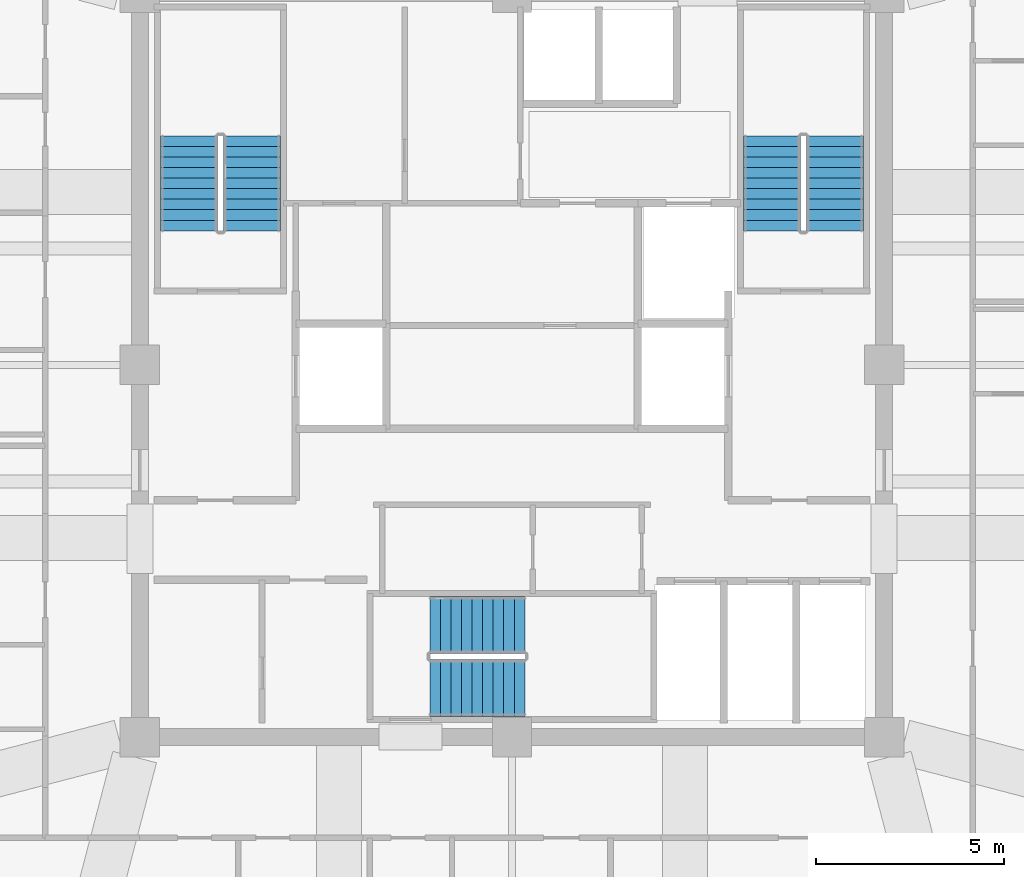
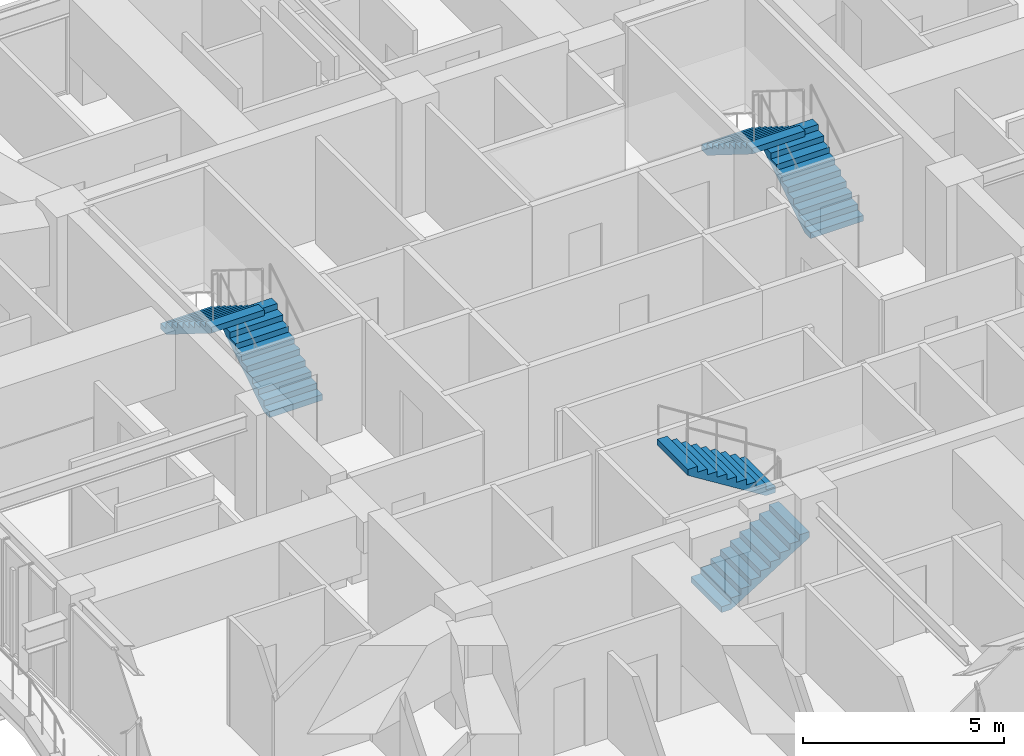
# One storey, part 29 of 31: 6 stair flights, 3 elements without a shape of their own.
"""IFC4 building model written with IfcOpenShell, lengths in metres."""

import ifcopenshell
import ifcopenshell.guid

model = None  # the IFC model being written
_history = None  # IfcOwnerHistory: only IFC2X3 demands one
_inside = {}  # id of a spatial element -> (the spatial element, [elements in it])
_under = {}  # id of a project, library or spatial element -> (it, [spatial elements below it])
_declared = {}  # id of a project -> (the project, [libraries it declares])
_typed = {}  # id of a type object -> (the type object, [elements of that type])
_made_of = {}  # id of a material, layer set ... -> (it, [elements and type objects made of it])


def new_model(schema):
    """Start an empty IFC model of exactly this schema.

    Asked for "IFC4X3", IfcOpenShell would pick the latest addendum, in which some entities
    have other attributes; the version numbers below select the first issue.
    IFC2X3 requires an IfcOwnerHistory on every rooted entity: one is made here for all.
    """
    global model, _history
    if schema == "IFC4X3":
        model = ifcopenshell.file(schema_version=(4, 3, 0, 0))
    else:
        model = ifcopenshell.file(schema=schema)
    _inside.clear()
    _under.clear()
    _declared.clear()
    _typed.clear()
    _made_of.clear()
    _history = None
    if model.schema == "IFC2X3":
        org = make("IfcOrganization", Name="unknown")
        user = make(
            "IfcPersonAndOrganization",
            ThePerson=make("IfcPerson", FamilyName="unknown"),
            TheOrganization=org,
        )
        app = make(
            "IfcApplication",
            ApplicationDeveloper=org,
            Version="unknown",
            ApplicationFullName="unknown",
            ApplicationIdentifier="unknown",
        )
        _history = make(
            "IfcOwnerHistory",
            OwningUser=user,
            OwningApplication=app,
            ChangeAction="ADDED",
            CreationDate=0,
        )
    return model


def make(cls, **values):
    """One entity of the class cls with the attributes given. An attribute that is None is left unset."""
    return model.create_entity(
        cls, **{name: value for name, value in values.items() if value is not None}
    )


def rooted(cls, **values):
    """An entity with a GlobalId (a new one), such as an element, a storey or a relation."""
    return make(cls, GlobalId=ifcopenshell.guid.new(), OwnerHistory=_history, **values)


def si_unit(unit_type, name, prefix=None):
    """IfcSIUnit, for example si_unit("LENGTHUNIT", "METRE", prefix="MILLI")."""
    return make("IfcSIUnit", UnitType=unit_type, Prefix=prefix, Name=name)


def assignment(units):
    """IfcUnitAssignment: the units of a project."""
    return None if units is None else make("IfcUnitAssignment", Units=units)


def point(xyz):
    """IfcCartesianPoint."""
    return None if xyz is None else make("IfcCartesianPoint", Coordinates=xyz)


def direction(xyz):
    """IfcDirection."""
    return None if xyz is None else make("IfcDirection", DirectionRatios=xyz)


def frame(location, z_axis=None, x_axis=None):
    """IfcAxis2Placement3D, a coordinate frame: its origin and axes. An axis left out is left unset."""
    return make(
        "IfcAxis2Placement3D",
        Location=point(location),
        Axis=direction(z_axis),
        RefDirection=direction(x_axis),
    )


def origin():
    """The frame at (0, 0, 0) with its axes left unset."""
    return frame((0.0, 0.0, 0.0))


def place(relative_to, where):
    """IfcLocalPlacement: puts the frame where relative to a parent placement (None: the world)."""
    return make(
        "IfcLocalPlacement", PlacementRelTo=relative_to, RelativePlacement=where
    )


def context(
    kind, dimensions, precision=None, world=None, true_north=None, identifier=None
):
    """IfcGeometricRepresentationContext, for example the 3D "Model" context."""
    return make(
        "IfcGeometricRepresentationContext",
        ContextIdentifier=identifier,
        ContextType=kind,
        CoordinateSpaceDimension=dimensions,
        Precision=precision,
        WorldCoordinateSystem=world,
        TrueNorth=true_north,
    )


def subcontext(parent, identifier, kind, view, scale=None):
    """IfcGeometricRepresentationSubContext, for example "Body" below "Model"."""
    return make(
        "IfcGeometricRepresentationSubContext",
        ContextIdentifier=identifier,
        ContextType=kind,
        ParentContext=parent,
        TargetScale=scale,
        TargetView=view,
    )


def project(units=None, contexts=None):
    """IfcProject with its units and contexts."""
    return rooted(
        "IfcProject",
        Name="project",
        RepresentationContexts=contexts,
        UnitsInContext=assignment(units),
    )


def spatial(cls, under=None, at=None, **own):
    """A site, building, storey or space (cls), placed at a placement, below another one or the project."""
    s = rooted(cls, ObjectPlacement=at, **own)
    if under is not None:
        _under.setdefault(under.id(), (under, []))[1].append(s)
    return s


def polyline(points):
    """IfcPolyline through the points."""
    return make("IfcPolyline", Points=[point(p) for p in points])


def outline(outer, holes=None, kind="AREA"):
    """IfcArbitraryClosedProfileDef: a profile drawn as a closed curve; with holes, ...WithVoids."""
    if holes is None:
        return make("IfcArbitraryClosedProfileDef", ProfileType=kind, OuterCurve=outer)
    return make(
        "IfcArbitraryProfileDefWithVoids",
        ProfileType=kind,
        OuterCurve=outer,
        InnerCurves=holes,
    )


def extrude(swept, where, along, depth):
    """IfcExtrudedAreaSolid: the profile swept, set in the frame where, extruded along a direction by depth."""
    return make(
        "IfcExtrudedAreaSolid",
        SweptArea=swept,
        Position=where,
        ExtrudedDirection=direction(along),
        Depth=depth,
    )


def shape(context_of_items, identifier, shape_type, items):
    """IfcShapeRepresentation: the items that make up one representation, for example the "Body"."""
    return make(
        "IfcShapeRepresentation",
        ContextOfItems=context_of_items,
        RepresentationIdentifier=identifier,
        RepresentationType=shape_type,
        Items=items,
    )


def material(Name=None, Category=None):
    """IfcMaterial."""
    return make("IfcMaterial", Name=Name, Category=Category)


def made_of(thing, what):
    """Note that an element or type object is made of a material, layer set ...; save() writes the relation."""
    if what is not None:
        _made_of.setdefault(what.id(), (what, []))[1].append(thing)
    return thing


def type_object(cls, material=None, **own):
    """A type object (cls), such as IfcWallType, which elements share."""
    return made_of(rooted(cls, **own), material)


def element(
    cls,
    number,
    at=None,
    inside=None,
    cuts=None,
    type_object=None,
    material=None,
    context=None,
    identifier="Body",
    shape_type=None,
    held_by="IfcProductDefinitionShape",
    body=None,
    shapes=None,
    **own,
):
    """One element of the class cls, such as IfcWall. Its Tag is "e" and its number.

    at: its placement. inside: the storey or other place that contains it. cuts: it is an
    opening in that element (IfcRelVoidsElement). A single representation is given by context,
    identifier, shape_type and body (its items); several are given by shapes. held_by: the class
    of the entity that holds the representations. save() writes the other relations.
    """
    e = rooted(cls, Tag="e%d" % number, ObjectPlacement=at, **own)
    if body is not None:
        shapes = [shape(context, identifier, shape_type, body)]
    if shapes is not None:
        e.Representation = make(held_by, Representations=shapes)
    if inside is not None:
        _inside.setdefault(inside.id(), (inside, []))[1].append(e)
    if cuts is not None:
        rooted(
            "IfcRelVoidsElement", RelatingBuildingElement=cuts, RelatedOpeningElement=e
        )
    if type_object is not None:
        _typed.setdefault(type_object.id(), (type_object, []))[1].append(e)
    return made_of(e, material)


def aggregate(whole, parts):
    """IfcRelAggregates: a whole, such as a stair, and the parts it consists of."""
    return rooted("IfcRelAggregates", RelatingObject=whole, RelatedObjects=parts)


def save(model, path):
    """Write the relations noted so far, then the file.

    IfcRelAggregates (storeys below a building ...), IfcRelContainedInSpatialStructure (elements
    in a storey), IfcRelDefinesByType, IfcRelAssociatesMaterial and IfcRelDeclares: one each for
    every whole, place, type object, material and project.
    """
    for whole, parts in _under.values():
        aggregate(whole, parts)
    for where, things in _inside.values():
        rooted(
            "IfcRelContainedInSpatialStructure",
            RelatedElements=things,
            RelatingStructure=where,
        )
    for kind, things in _typed.values():
        rooted("IfcRelDefinesByType", RelatedObjects=things, RelatingType=kind)
    for what, things in _made_of.values():
        rooted("IfcRelAssociatesMaterial", RelatedObjects=things, RelatingMaterial=what)
    for by, libraries in _declared.values():
        rooted("IfcRelDeclares", RelatingContext=by, RelatedDefinitions=libraries)
    model.write(path)


model = new_model("IFC4")

# Units and contexts
model_context = context("Model", 3, precision=1e-05, world=origin(), true_north=direction((0.0, 1.0)))
body_context = subcontext(model_context, "Body", "Model", "MODEL_VIEW")
ifc_project = project(units=[si_unit("LENGTHUNIT", "METRE"), si_unit("AREAUNIT", "SQUARE_METRE"), si_unit("VOLUMEUNIT", "CUBIC_METRE"), si_unit("PLANEANGLEUNIT", "RADIAN"), si_unit("MASSUNIT", "GRAM", prefix="KILO")], contexts=[model_context])

# Site, building, storey
site_placement = place(None, origin())
site = spatial("IfcSite", under=ifc_project, at=site_placement, CompositionType="ELEMENT")
building_placement = place(site_placement, origin())
building = spatial("IfcBuilding", under=site, at=building_placement, Name="Kolvaren Belvedere", CompositionType="ELEMENT")
storey_placement = place(building_placement, frame((0.0, 0.0, 237.39990234375)))
storey = spatial("IfcBuildingStorey", under=building, at=storey_placement, Name="L69", CompositionType="ELEMENT", Elevation=237.39990234375)

# Stair, stair flights
ifc_material_1 = material(Name="Concrete C50/60", Category="concrete")
stair_type = type_object("IfcStairType", Name="ST-CORE-1520", PredefinedType="HALF_TURN_STAIR", material=ifc_material_1)
stair_1_placement = place(storey_placement, origin())
stair_1 = element("IfcStair", 1, at=stair_1_placement, inside=storey, type_object=stair_type, Name="L69 Protected Exit Stair ST-1", PredefinedType="HALF_TURN_STAIR")
ifc_material_2 = material(Name="Concrete C50/60", Category="concrete")
stair_flight_type = type_object("IfcStairFlightType", Name="SF-STR-1520", PredefinedType="STRAIGHT", material=ifc_material_2)
stair_flight_1_placement = place(storey_placement, frame((-6.919921875, 3.570068359375, 0.0), z_axis=(0.0, 0.0, 1.0), x_axis=(0.0, 1.0, 0.0)))
stair_flight_1 = element("IfcStairFlight", 2, at=stair_flight_1_placement, type_object=stair_flight_type, Name="ST-1 flight 1", NumberOfRisers=10, NumberOfTreads=9, PredefinedType="STRAIGHT", RiserHeight=0.175, TreadLength=0.28, context=body_context, shape_type="SweptSolid", body=[
    extrude(outline(polyline([(0.0, 0.0), (0.0, 0.175048828125), (0.280029296875, 0.175048828125), (0.280029296875, 0.35009765625), (0.56005859375, 0.35009765625), (0.56005859375, 0.52490234375), (0.840087890625, 0.52490234375), (0.840087890625, 0.699951171875), (1.1201171875, 0.699951171875), (1.1201171875, 0.875), (1.39990234375, 0.875), (1.39990234375, 1.050048828125), (1.679931640625, 1.050048828125), (1.679931640625, 1.22509765625), (1.9599609375, 1.22509765625), (1.9599609375, 1.39990234375), (2.239990234375, 1.39990234375), (2.239990234375, 1.574951171875), (2.52001953125, 1.574951171875), (2.52001953125, 1.75), (2.52001953125, 1.398193359375), (0.28271484375, 0.0), (0.0, 0.0)])), frame((0.0, 0.760009765625, 0.0), z_axis=(0.0, -1.0, 0.0), x_axis=(1.0, 0.0, 0.0)), (0.0, 0.0, 1.0), 1.52001953125),
])
stair_flight_2_placement = place(storey_placement, frame((-8.590087890625, 6.090087890625, 1.75), z_axis=(0.0, 0.0, 1.0), x_axis=(0.0, -1.0, 0.0)))
stair_flight_2 = element("IfcStairFlight", 3, at=stair_flight_2_placement, type_object=stair_flight_type, Name="ST-1 flight 2", NumberOfRisers=10, NumberOfTreads=9, PredefinedType="STRAIGHT", RiserHeight=0.175, TreadLength=0.28, context=body_context, shape_type="SweptSolid", body=[
    extrude(outline(polyline([(0.0, 0.0), (0.0, 0.175048828125), (0.280029296875, 0.175048828125), (0.280029296875, 0.35009765625), (0.56005859375, 0.35009765625), (0.56005859375, 0.52490234375), (0.840087890625, 0.52490234375), (0.840087890625, 0.699951171875), (1.1201171875, 0.699951171875), (1.1201171875, 0.875), (1.39990234375, 0.875), (1.39990234375, 1.050048828125), (1.679931640625, 1.050048828125), (1.679931640625, 1.22509765625), (1.9599609375, 1.22509765625), (1.9599609375, 1.39990234375), (2.239990234375, 1.39990234375), (2.239990234375, 1.574951171875), (2.52001953125, 1.574951171875), (2.52001953125, 1.75), (2.52001953125, 1.398193359375), (0.28271484375, 0.0), (0.0, 0.0)])), frame((0.0, 0.760009765625, 0.0), z_axis=(0.0, -1.0, 0.0), x_axis=(1.0, 0.0, 0.0)), (0.0, 0.0, 1.0), 1.52001953125),
])
aggregate(stair_1, [stair_flight_1, stair_flight_2])

stair_2_placement = place(storey_placement, origin())
stair_2 = element("IfcStair", 4, at=stair_2_placement, inside=storey, type_object=stair_type, Name="L69 Protected Exit Stair ST-2", PredefinedType="HALF_TURN_STAIR")
stair_flight_3_placement = place(storey_placement, frame((8.590087890625, 3.570068359375, 0.0), z_axis=(0.0, 0.0, 1.0), x_axis=(0.0, 1.0, 0.0)))
stair_flight_3 = element("IfcStairFlight", 5, at=stair_flight_3_placement, type_object=stair_flight_type, Name="ST-2 flight 1", NumberOfRisers=10, NumberOfTreads=9, PredefinedType="STRAIGHT", RiserHeight=0.175, TreadLength=0.28, context=body_context, shape_type="SweptSolid", body=[
    extrude(outline(polyline([(0.0, 0.0), (0.0, 0.175048828125), (0.280029296875, 0.175048828125), (0.280029296875, 0.35009765625), (0.56005859375, 0.35009765625), (0.56005859375, 0.52490234375), (0.840087890625, 0.52490234375), (0.840087890625, 0.699951171875), (1.1201171875, 0.699951171875), (1.1201171875, 0.875), (1.39990234375, 0.875), (1.39990234375, 1.050048828125), (1.679931640625, 1.050048828125), (1.679931640625, 1.22509765625), (1.9599609375, 1.22509765625), (1.9599609375, 1.39990234375), (2.239990234375, 1.39990234375), (2.239990234375, 1.574951171875), (2.52001953125, 1.574951171875), (2.52001953125, 1.75), (2.52001953125, 1.398193359375), (0.28271484375, 0.0), (0.0, 0.0)])), frame((0.0, 0.760009765625, 0.0), z_axis=(0.0, -1.0, 0.0), x_axis=(1.0, 0.0, 0.0)), (0.0, 0.0, 1.0), 1.52001953125),
])
stair_flight_4_placement = place(storey_placement, frame((6.919921875, 6.090087890625, 1.75), z_axis=(0.0, 0.0, 1.0), x_axis=(0.0, -1.0, 0.0)))
stair_flight_4 = element("IfcStairFlight", 6, at=stair_flight_4_placement, type_object=stair_flight_type, Name="ST-2 flight 2", NumberOfRisers=10, NumberOfTreads=9, PredefinedType="STRAIGHT", RiserHeight=0.175, TreadLength=0.28, context=body_context, shape_type="SweptSolid", body=[
    extrude(outline(polyline([(0.0, 0.0), (0.0, 0.175048828125), (0.280029296875, 0.175048828125), (0.280029296875, 0.35009765625), (0.56005859375, 0.35009765625), (0.56005859375, 0.52490234375), (0.840087890625, 0.52490234375), (0.840087890625, 0.699951171875), (1.1201171875, 0.699951171875), (1.1201171875, 0.875), (1.39990234375, 0.875), (1.39990234375, 1.050048828125), (1.679931640625, 1.050048828125), (1.679931640625, 1.22509765625), (1.9599609375, 1.22509765625), (1.9599609375, 1.39990234375), (2.239990234375, 1.39990234375), (2.239990234375, 1.574951171875), (2.52001953125, 1.574951171875), (2.52001953125, 1.75), (2.52001953125, 1.398193359375), (0.28271484375, 0.0), (0.0, 0.0)])), frame((0.0, 0.760009765625, 0.0), z_axis=(0.0, -1.0, 0.0), x_axis=(1.0, 0.0, 0.0)), (0.0, 0.0, 1.0), 1.52001953125),
])
aggregate(stair_2, [stair_flight_3, stair_flight_4])

stair_3_placement = place(storey_placement, origin())
stair_3 = element("IfcStair", 7, at=stair_3_placement, inside=storey, type_object=stair_type, Name="L69 Protected Exit Stair ST-3", PredefinedType="HALF_TURN_STAIR")
stair_flight_5_placement = place(storey_placement, frame((-2.179931640625, -8.590087890625, 0.0), z_axis=(0.0, 0.0, 1.0), x_axis=(1.0, 0.0, 0.0)))
stair_flight_5 = element("IfcStairFlight", 8, at=stair_flight_5_placement, type_object=stair_flight_type, Name="ST-3 flight 1", NumberOfRisers=10, NumberOfTreads=9, PredefinedType="STRAIGHT", RiserHeight=0.175, TreadLength=0.28, context=body_context, shape_type="SweptSolid", body=[
    extrude(outline(polyline([(0.0, 0.0), (0.0, 0.175048828125), (0.280029296875, 0.175048828125), (0.280029296875, 0.35009765625), (0.56005859375, 0.35009765625), (0.56005859375, 0.52490234375), (0.840087890625, 0.52490234375), (0.840087890625, 0.699951171875), (1.1201171875, 0.699951171875), (1.1201171875, 0.875), (1.39990234375, 0.875), (1.39990234375, 1.050048828125), (1.679931640625, 1.050048828125), (1.679931640625, 1.22509765625), (1.9599609375, 1.22509765625), (1.9599609375, 1.39990234375), (2.239990234375, 1.39990234375), (2.239990234375, 1.574951171875), (2.52001953125, 1.574951171875), (2.52001953125, 1.75), (2.52001953125, 1.398193359375), (0.28271484375, 0.0), (0.0, 0.0)])), frame((0.0, 0.760009765625, 0.0), z_axis=(0.0, -1.0, 0.0), x_axis=(1.0, 0.0, 0.0)), (0.0, 0.0, 1.0), 1.52001953125),
])
stair_flight_6_placement = place(storey_placement, frame((0.340087890625, -6.919921875, 1.75), z_axis=(0.0, 0.0, 1.0), x_axis=(-1.0, 0.0, 0.0)))
stair_flight_6 = element("IfcStairFlight", 9, at=stair_flight_6_placement, type_object=stair_flight_type, Name="ST-3 flight 2", NumberOfRisers=10, NumberOfTreads=9, PredefinedType="STRAIGHT", RiserHeight=0.175, TreadLength=0.28, context=body_context, shape_type="SweptSolid", body=[
    extrude(outline(polyline([(0.0, 0.0), (0.0, 0.175048828125), (0.280029296875, 0.175048828125), (0.280029296875, 0.35009765625), (0.56005859375, 0.35009765625), (0.56005859375, 0.52490234375), (0.840087890625, 0.52490234375), (0.840087890625, 0.699951171875), (1.1201171875, 0.699951171875), (1.1201171875, 0.875), (1.39990234375, 0.875), (1.39990234375, 1.050048828125), (1.679931640625, 1.050048828125), (1.679931640625, 1.22509765625), (1.9599609375, 1.22509765625), (1.9599609375, 1.39990234375), (2.239990234375, 1.39990234375), (2.239990234375, 1.574951171875), (2.52001953125, 1.574951171875), (2.52001953125, 1.75), (2.52001953125, 1.398193359375), (0.28271484375, 0.0), (0.0, 0.0)])), frame((0.0, 0.760009765625, 0.0), z_axis=(0.0, -1.0, 0.0), x_axis=(1.0, 0.0, 0.0)), (0.0, 0.0, 1.0), 1.52001953125),
])
aggregate(stair_3, [stair_flight_5, stair_flight_6])

save(model, "model.ifc")
